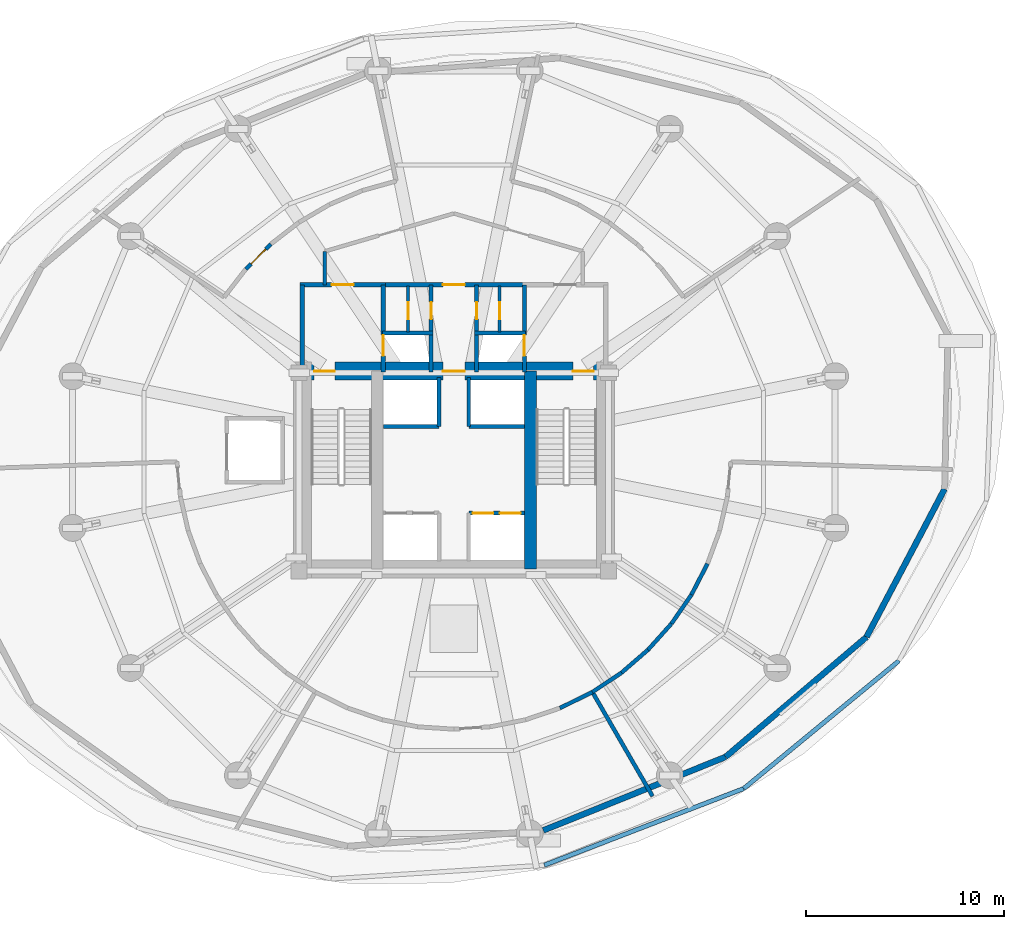
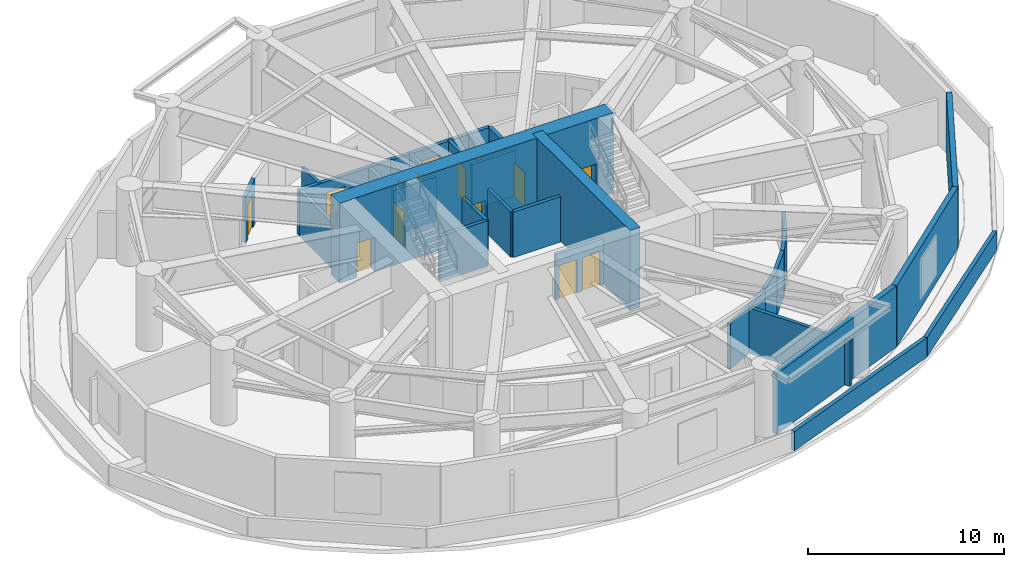
# One storey, part 4 of 8: 32 walls, 14 doors, 14 openings.
"""IFC4 building model written with IfcOpenShell, lengths in metres."""

import ifcopenshell
import ifcopenshell.guid

model = None  # the IFC model being written
_history = None  # IfcOwnerHistory: only IFC2X3 demands one
_inside = {}  # id of a spatial element -> (the spatial element, [elements in it])
_under = {}  # id of a project, library or spatial element -> (it, [spatial elements below it])
_declared = {}  # id of a project -> (the project, [libraries it declares])
_typed = {}  # id of a type object -> (the type object, [elements of that type])
_made_of = {}  # id of a material, layer set ... -> (it, [elements and type objects made of it])


def new_model(schema):
    """Start an empty IFC model of exactly this schema.

    Asked for "IFC4X3", IfcOpenShell would pick the latest addendum, in which some entities
    have other attributes; the version numbers below select the first issue.
    IFC2X3 requires an IfcOwnerHistory on every rooted entity: one is made here for all.
    """
    global model, _history
    if schema == "IFC4X3":
        model = ifcopenshell.file(schema_version=(4, 3, 0, 0))
    else:
        model = ifcopenshell.file(schema=schema)
    _inside.clear()
    _under.clear()
    _declared.clear()
    _typed.clear()
    _made_of.clear()
    _history = None
    if model.schema == "IFC2X3":
        org = make("IfcOrganization", Name="unknown")
        user = make(
            "IfcPersonAndOrganization",
            ThePerson=make("IfcPerson", FamilyName="unknown"),
            TheOrganization=org,
        )
        app = make(
            "IfcApplication",
            ApplicationDeveloper=org,
            Version="unknown",
            ApplicationFullName="unknown",
            ApplicationIdentifier="unknown",
        )
        _history = make(
            "IfcOwnerHistory",
            OwningUser=user,
            OwningApplication=app,
            ChangeAction="ADDED",
            CreationDate=0,
        )
    return model


def make(cls, **values):
    """One entity of the class cls with the attributes given. An attribute that is None is left unset."""
    return model.create_entity(
        cls, **{name: value for name, value in values.items() if value is not None}
    )


def rooted(cls, **values):
    """An entity with a GlobalId (a new one), such as an element, a storey or a relation."""
    return make(cls, GlobalId=ifcopenshell.guid.new(), OwnerHistory=_history, **values)


def si_unit(unit_type, name, prefix=None):
    """IfcSIUnit, for example si_unit("LENGTHUNIT", "METRE", prefix="MILLI")."""
    return make("IfcSIUnit", UnitType=unit_type, Prefix=prefix, Name=name)


def assignment(units):
    """IfcUnitAssignment: the units of a project."""
    return None if units is None else make("IfcUnitAssignment", Units=units)


def point(xyz):
    """IfcCartesianPoint."""
    return None if xyz is None else make("IfcCartesianPoint", Coordinates=xyz)


def direction(xyz):
    """IfcDirection."""
    return None if xyz is None else make("IfcDirection", DirectionRatios=xyz)


def frame(location, z_axis=None, x_axis=None):
    """IfcAxis2Placement3D, a coordinate frame: its origin and axes. An axis left out is left unset."""
    return make(
        "IfcAxis2Placement3D",
        Location=point(location),
        Axis=direction(z_axis),
        RefDirection=direction(x_axis),
    )


def frame_2d(location, x_axis=None):
    """IfcAxis2Placement2D, a coordinate frame in the plane: its origin and x axis."""
    return make(
        "IfcAxis2Placement2D", Location=point(location), RefDirection=direction(x_axis)
    )


def origin():
    """The frame at (0, 0, 0) with its axes left unset."""
    return frame((0.0, 0.0, 0.0))


def place(relative_to, where):
    """IfcLocalPlacement: puts the frame where relative to a parent placement (None: the world)."""
    return make(
        "IfcLocalPlacement", PlacementRelTo=relative_to, RelativePlacement=where
    )


def context(
    kind, dimensions, precision=None, world=None, true_north=None, identifier=None
):
    """IfcGeometricRepresentationContext, for example the 3D "Model" context."""
    return make(
        "IfcGeometricRepresentationContext",
        ContextIdentifier=identifier,
        ContextType=kind,
        CoordinateSpaceDimension=dimensions,
        Precision=precision,
        WorldCoordinateSystem=world,
        TrueNorth=true_north,
    )


def subcontext(parent, identifier, kind, view, scale=None):
    """IfcGeometricRepresentationSubContext, for example "Body" below "Model"."""
    return make(
        "IfcGeometricRepresentationSubContext",
        ContextIdentifier=identifier,
        ContextType=kind,
        ParentContext=parent,
        TargetScale=scale,
        TargetView=view,
    )


def project(units=None, contexts=None):
    """IfcProject with its units and contexts."""
    return rooted(
        "IfcProject",
        Name="project",
        RepresentationContexts=contexts,
        UnitsInContext=assignment(units),
    )


def spatial(cls, under=None, at=None, **own):
    """A site, building, storey or space (cls), placed at a placement, below another one or the project."""
    s = rooted(cls, ObjectPlacement=at, **own)
    if under is not None:
        _under.setdefault(under.id(), (under, []))[1].append(s)
    return s


def profile(cls, at=None, kind="AREA", **sizes):
    """A parametric profile (cls). Its sizes go by their IFC names, for example OverallWidth=200.0."""
    return make(cls, ProfileType=kind, Position=at, **sizes)


def rectangle(**sizes):
    """IfcRectangleProfileDef."""
    return profile("IfcRectangleProfileDef", **sizes)


def extrude(swept, where, along, depth):
    """IfcExtrudedAreaSolid: the profile swept, set in the frame where, extruded along a direction by depth."""
    return make(
        "IfcExtrudedAreaSolid",
        SweptArea=swept,
        Position=where,
        ExtrudedDirection=direction(along),
        Depth=depth,
    )


def shape(context_of_items, identifier, shape_type, items):
    """IfcShapeRepresentation: the items that make up one representation, for example the "Body"."""
    return make(
        "IfcShapeRepresentation",
        ContextOfItems=context_of_items,
        RepresentationIdentifier=identifier,
        RepresentationType=shape_type,
        Items=items,
    )


def material(Name=None, Category=None):
    """IfcMaterial."""
    return make("IfcMaterial", Name=Name, Category=Category)


def layer(
    of_material, thickness, ventilated=None, Name=None, Category=None, Priority=None
):
    """IfcMaterialLayer: one layer of a wall or slab, of a material (None: an air gap)."""
    return make(
        "IfcMaterialLayer",
        Material=of_material,
        LayerThickness=thickness,
        IsVentilated=ventilated,
        Name=Name,
        Category=Category,
        Priority=Priority,
    )


def layer_set(layers, Name=None):
    """IfcMaterialLayerSet."""
    return make("IfcMaterialLayerSet", MaterialLayers=layers, LayerSetName=Name)


def made_of(thing, what):
    """Note that an element or type object is made of a material, layer set ...; save() writes the relation."""
    if what is not None:
        _made_of.setdefault(what.id(), (what, []))[1].append(thing)
    return thing


def type_object(cls, material=None, **own):
    """A type object (cls), such as IfcWallType, which elements share."""
    return made_of(rooted(cls, **own), material)


def element(
    cls,
    number,
    at=None,
    inside=None,
    cuts=None,
    type_object=None,
    material=None,
    context=None,
    identifier="Body",
    shape_type=None,
    held_by="IfcProductDefinitionShape",
    body=None,
    shapes=None,
    **own,
):
    """One element of the class cls, such as IfcWall. Its Tag is "e" and its number.

    at: its placement. inside: the storey or other place that contains it. cuts: it is an
    opening in that element (IfcRelVoidsElement). A single representation is given by context,
    identifier, shape_type and body (its items); several are given by shapes. held_by: the class
    of the entity that holds the representations. save() writes the other relations.
    """
    e = rooted(cls, Tag="e%d" % number, ObjectPlacement=at, **own)
    if body is not None:
        shapes = [shape(context, identifier, shape_type, body)]
    if shapes is not None:
        e.Representation = make(held_by, Representations=shapes)
    if inside is not None:
        _inside.setdefault(inside.id(), (inside, []))[1].append(e)
    if cuts is not None:
        rooted(
            "IfcRelVoidsElement", RelatingBuildingElement=cuts, RelatedOpeningElement=e
        )
    if type_object is not None:
        _typed.setdefault(type_object.id(), (type_object, []))[1].append(e)
    return made_of(e, material)


def fill(opening, filler):
    """IfcRelFillsElement: the door or window that sits in an opening."""
    return rooted(
        "IfcRelFillsElement",
        RelatingOpeningElement=opening,
        RelatedBuildingElement=filler,
    )


def aggregate(whole, parts):
    """IfcRelAggregates: a whole, such as a stair, and the parts it consists of."""
    return rooted("IfcRelAggregates", RelatingObject=whole, RelatedObjects=parts)


def save(model, path):
    """Write the relations noted so far, then the file.

    IfcRelAggregates (storeys below a building ...), IfcRelContainedInSpatialStructure (elements
    in a storey), IfcRelDefinesByType, IfcRelAssociatesMaterial and IfcRelDeclares: one each for
    every whole, place, type object, material and project.
    """
    for whole, parts in _under.values():
        aggregate(whole, parts)
    for where, things in _inside.values():
        rooted(
            "IfcRelContainedInSpatialStructure",
            RelatedElements=things,
            RelatingStructure=where,
        )
    for kind, things in _typed.values():
        rooted("IfcRelDefinesByType", RelatedObjects=things, RelatingType=kind)
    for what, things in _made_of.values():
        rooted("IfcRelAssociatesMaterial", RelatedObjects=things, RelatingMaterial=what)
    for by, libraries in _declared.values():
        rooted("IfcRelDeclares", RelatingContext=by, RelatedDefinitions=libraries)
    model.write(path)


model = new_model("IFC4")

# Units and contexts
model_context = context("Model", 3, precision=1e-05, world=origin(), true_north=direction((0.0, 1.0)))
body_context = subcontext(model_context, "Body", "Model", "MODEL_VIEW")
ifc_project = project(units=[si_unit("LENGTHUNIT", "METRE"), si_unit("AREAUNIT", "SQUARE_METRE"), si_unit("VOLUMEUNIT", "CUBIC_METRE"), si_unit("PLANEANGLEUNIT", "RADIAN"), si_unit("MASSUNIT", "GRAM", prefix="KILO"), si_unit("THERMODYNAMICTEMPERATUREUNIT", "KELVIN"), si_unit("POWERUNIT", "WATT")], contexts=[model_context])

# Site, building, storey
site_placement = place(None, origin())
site = spatial("IfcSite", under=ifc_project, at=site_placement, CompositionType="ELEMENT")
building_placement = place(site_placement, origin())
building = spatial("IfcBuilding", under=site, at=building_placement, Name="Ocrelia Relay Tower", CompositionType="ELEMENT")
storey_placement = place(building_placement, frame((0.0, 0.0, 88.800048828125)))
storey = spatial("IfcBuildingStorey", under=building, at=storey_placement, Name="L20", CompositionType="ELEMENT", Elevation=88.800048828125)

# Wall, openings, doors
ifc_material_1 = material(Name="Concrete C70/85", Category="concrete")
ifc_layer_1 = layer(ifc_material_1, 0.89990234375, Name="Concrete C70/85")
ifc_layer_set_1 = layer_set([ifc_layer_1], Name="Concrete C70/85")
wall_type_1 = type_object("IfcWallType", Name="CW-CORE-900", PredefinedType="SHEAR", material=ifc_layer_set_1)
wall_1_placement = place(storey_placement, frame((25.922119140625, 30.087890625, 0.0), z_axis=(0.0, 0.0, 1.0), x_axis=(1.0, 0.0, 0.0)))
wall_1 = element("IfcWall", 1, at=wall_1_placement, inside=storey, type_object=wall_type_1, Name="L20 Core Shear Wall N", PredefinedType="SHEAR", context=body_context, shape_type="SweptSolid", body=[
    extrude(rectangle(XDim=16.165771484375, YDim=0.89990234375, at=frame_2d((8.0830078125, 0.0))), origin(), (0.0, 0.0, 1.0), 5.0),
])
opening_1_placement = place(wall_1_placement, frame((1.028076171875, 0.0, 0.0)))
opening_1 = element("IfcOpeningElement", 2, at=opening_1_placement, cuts=wall_1, Name="Opening D-FD90", PredefinedType="OPENING", context=body_context, shape_type="SweptSolid", body=[
    extrude(rectangle(XDim=1.050048828125, YDim=2.14990234375, at=frame_2d((0.52490234375, 1.074951171875))), frame((0.0, 0.4599609375, 0.0), z_axis=(0.0, -1.0, 0.0), x_axis=(1.0, 0.0, 0.0)), (0.0, 0.0, 1.0), 0.919921875),
])
opening_2_placement = place(wall_1_placement, frame((14.077880859375, 0.0, 0.0)))
opening_2 = element("IfcOpeningElement", 3, at=opening_2_placement, cuts=wall_1, Name="Opening D-FD90", PredefinedType="OPENING", context=body_context, shape_type="SweptSolid", body=[
    extrude(rectangle(XDim=1.050048828125, YDim=2.14990234375, at=frame_2d((0.52490234375, 1.074951171875))), frame((0.0, 0.4599609375, 0.0), z_axis=(0.0, -1.0, 0.0), x_axis=(1.0, 0.0, 0.0)), (0.0, 0.0, 1.0), 0.919921875),
])
opening_3_placement = place(wall_1_placement, frame((7.528076171875, 0.0, 0.0)))
opening_3 = element("IfcOpeningElement", 4, at=opening_3_placement, cuts=wall_1, Name="Opening D-FD60", PredefinedType="OPENING", context=body_context, shape_type="SweptSolid", body=[
    extrude(rectangle(XDim=1.10009765625, YDim=2.14990234375, at=frame_2d((0.550048828125, 1.074951171875))), frame((0.0, 0.4599609375, 0.0), z_axis=(0.0, -1.0, 0.0), x_axis=(1.0, 0.0, 0.0)), (0.0, 0.0, 1.0), 0.919921875),
])
ifc_material_2 = material(Name="Timber-core 60-min acoustic fire door", Category="wood")
door_type_1 = type_object("IfcDoorType", Name="DR-LOBBY-FD60-1100", OperationType="NOTDEFINED", PredefinedType="DOOR", material=ifc_material_2)
door_1_placement = place(opening_3_placement, origin())
door_1 = element("IfcDoor", 5, at=door_1_placement, inside=storey, type_object=door_type_1, Name="L20 Core Lift Lobby North Fire Door", OperationType="SINGLE_SWING_RIGHT", OverallHeight=2.14990234375, OverallWidth=1.10009765625, PredefinedType="DOOR", context=body_context, shape_type="SweptSolid", body=[
    extrude(rectangle(XDim=1.10009765625, YDim=2.14990234375, at=frame_2d((0.550048828125, 1.074951171875))), frame((0.0, 0.02490234375, 0.0), z_axis=(0.0, -1.0, 0.0), x_axis=(1.0, 0.0, 0.0)), (0.0, 0.0, 1.0), 0.050048828125),
])
fill(opening_3, door_1)
ifc_material_3 = material(Name="Steel S355 90-min fire door", Category="steel")
door_type_2 = type_object("IfcDoorType", Name="DR-STAIR-FD90-1050", OperationType="NOTDEFINED", PredefinedType="DOOR", material=ifc_material_3)
door_2_placement = place(opening_1_placement, origin())
door_2 = element("IfcDoor", 6, at=door_2_placement, inside=storey, type_object=door_type_2, Name="L20 Stair ST1 Fire Door", OperationType="SINGLE_SWING_RIGHT", OverallHeight=2.14990234375, OverallWidth=1.050048828125, PredefinedType="DOOR", context=body_context, shape_type="SweptSolid", body=[
    extrude(rectangle(XDim=1.050048828125, YDim=2.14990234375, at=frame_2d((0.52490234375, 1.074951171875))), frame((0.0, 0.02490234375, 0.0), z_axis=(0.0, -1.0, 0.0), x_axis=(1.0, 0.0, 0.0)), (0.0, 0.0, 1.0), 0.050048828125),
])
fill(opening_1, door_2)
door_3_placement = place(opening_2_placement, origin())
door_3 = element("IfcDoor", 7, at=door_3_placement, inside=storey, type_object=door_type_2, Name="L20 Stair ST2 Fire Door", OperationType="SINGLE_SWING_LEFT", OverallHeight=2.14990234375, OverallWidth=1.050048828125, PredefinedType="DOOR", context=body_context, shape_type="SweptSolid", body=[
    extrude(rectangle(XDim=1.050048828125, YDim=2.14990234375, at=frame_2d((0.52490234375, 1.074951171875))), frame((0.0, 0.02490234375, 0.0), z_axis=(0.0, -1.0, 0.0), x_axis=(1.0, 0.0, 0.0)), (0.0, 0.0, 1.0), 0.050048828125),
])
fill(opening_2, door_3)

# Walls
wall_2_placement = place(storey_placement, frame((37.8720703125, 20.112060546875, 0.0), z_axis=(0.0, 0.0, 1.0), x_axis=(0.0, 1.0, 0.0)))
element("IfcWall", 8, at=wall_2_placement, inside=storey, type_object=wall_type_1, Name="L20 Core Shear Wall SPE", PredefinedType="SHEAR", context=body_context, shape_type="SweptSolid", body=[
    extrude(rectangle(XDim=9.975830078125, YDim=0.60009765625, at=frame_2d((4.98779296875, 0.0))), origin(), (0.0, 0.0, 1.0), 5.0),
])
ifc_material_4 = material(Name="Gypsum Fireboard Partition EI60", Category="gypsum")
ifc_layer_2 = layer(ifc_material_4, 0.179931640625, Name="Gypsum Fireboard Partition EI60")
ifc_layer_set_2 = layer_set([ifc_layer_2], Name="Gypsum Fireboard Partition EI60")
wall_type_2 = type_object("IfcWallType", Name="W-CORR-EI60-180", PredefinedType="PARTITIONING", material=ifc_layer_set_2)
wall_3_placement = place(storey_placement, frame((27.5, 34.429931640625, 0.0), z_axis=(0.0, 0.0, 1.0), x_axis=(0.0, 1.0, 0.0)))
element("IfcWall", 9, at=wall_3_placement, inside=storey, type_object=wall_type_2, Name="L20 Smoke Lobby West Return", PredefinedType="PARTITIONING", context=body_context, shape_type="SweptSolid", body=[
    extrude(rectangle(XDim=1.69287109375, YDim=0.179931640625, at=frame_2d((0.846435546875, 0.0))), origin(), (0.0, 0.0, 1.0), 2.83984375),
])
ifc_material_5 = material(Name="Precast concrete C40/50 with oxide terracotta", Category="masonry")
ifc_layer_3 = layer(ifc_material_5, 0.300048828125, Name="Precast concrete C40/50 with oxide terracotta")
ifc_layer_set_3 = layer_set([ifc_layer_3], Name="Precast concrete C40/50 with oxide terracotta")
wall_type_3 = type_object("IfcWallType", Name="W-EXT-TERR-300", PredefinedType="SOLIDWALL", material=ifc_layer_set_3)
wall_4_placement = place(storey_placement, frame((38.509033203125, 6.92578125, 0.0), z_axis=(0.0, 0.0, 1.0), x_axis=(0.92745373758, 0.3739379155, 0.0)))
element("IfcWall", 10, at=wall_4_placement, inside=storey, type_object=wall_type_3, Name="L20 Plant Terracotta Wall 13", PredefinedType="SOLIDWALL", context=body_context, shape_type="SweptSolid", body=[
    extrude(rectangle(XDim=9.90966796875, YDim=0.300048828125, at=frame_2d((4.954833984375, 0.0))), origin(), (0.0, 0.0, 1.0), 3.800048828125),
])
wall_5_placement = place(storey_placement, frame((47.69970703125, 10.63134765625, 0.0), z_axis=(0.0, 0.0, 1.0), x_axis=(0.761612488975, 0.64803272806, 0.0)))
element("IfcWall", 11, at=wall_5_placement, inside=storey, type_object=wall_type_3, Name="L20 Plant Terracotta Wall 14", PredefinedType="SOLIDWALL", context=body_context, shape_type="SweptSolid", body=[
    extrude(rectangle(XDim=9.328857421875, YDim=0.300048828125, at=frame_2d((4.66455078125, 0.0))), origin(), (0.0, 0.0, 1.0), 3.800048828125),
])
wall_6_placement = place(storey_placement, frame((54.8046875, 16.6767578125, 0.0), z_axis=(0.0, 0.0, 1.0), x_axis=(0.466570065836, 0.884484241615, 0.0)))
element("IfcWall", 12, at=wall_6_placement, inside=storey, type_object=wall_type_3, Name="L20 Plant Terracotta Wall 15", PredefinedType="SOLIDWALL", context=body_context, shape_type="SweptSolid", body=[
    extrude(rectangle(XDim=8.439697265625, YDim=0.300048828125, at=frame_2d((4.2197265625, 0.0))), origin(), (0.0, 0.0, 1.0), 3.800048828125),
])
ifc_material_6 = material(Name="Concrete C50/60", Category="concrete")
ifc_layer_4 = layer(ifc_material_6, 0.219970703125, Name="Concrete C50/60")
ifc_layer_set_4 = layer_set([ifc_layer_4], Name="Concrete C50/60")
wall_type_4 = type_object("IfcWallType", Name="W-FFL-EI120-220", PredefinedType="SOLIDWALL", material=ifc_layer_set_4)
wall_7_placement = place(storey_placement, frame((26.35009765625, 30.050048828125, 0.0), z_axis=(0.0, 0.0, 1.0), x_axis=(0.0, 1.0, 0.0)))
element("IfcWall", 13, at=wall_7_placement, inside=storey, type_object=wall_type_4, Name="L20 W Fire Service Lift Lobby West Wall", PredefinedType="SOLIDWALL", context=body_context, shape_type="SweptSolid", body=[
    extrude(rectangle(XDim=4.3798828125, YDim=0.219970703125, at=frame_2d((2.18994140625, 0.0))), origin(), (0.0, 0.0, 1.0), 2.83984375),
])

# Wall, opening, door
wall_8_placement = place(storey_placement, frame((30.43994140625, 30.050048828125, 0.0), z_axis=(0.0, 0.0, 1.0), x_axis=(0.0, 1.0, 0.0)))
wall_8 = element("IfcWall", 14, at=wall_8_placement, inside=storey, type_object=wall_type_4, Name="L20 W Fire Service Lift Lobby East Wall", PredefinedType="SOLIDWALL", context=body_context, shape_type="SweptSolid", body=[
    extrude(rectangle(XDim=4.3798828125, YDim=0.219970703125, at=frame_2d((2.18994140625, 0.0))), origin(), (0.0, 0.0, 1.0), 2.83984375),
])
opening_4_placement = place(wall_8_placement, frame((0.800048828125, 0.0, 0.0)))
opening_4 = element("IfcOpeningElement", 15, at=opening_4_placement, cuts=wall_8, Name="Opening LD-FFL1", PredefinedType="OPENING", context=body_context, shape_type="SweptSolid", body=[
    extrude(rectangle(XDim=1.050048828125, YDim=2.10009765625, at=frame_2d((0.52490234375, 1.050048828125))), frame((0.0, 0.1201171875, 0.0), z_axis=(0.0, -1.0, 0.0), x_axis=(1.0, 0.0, 0.0)), (0.0, 0.0, 1.0), 0.239990234375),
])
ifc_material_7 = material(Name="Brushed stainless steel S355 lift landing door", Category="steel")
door_type_3 = type_object("IfcDoorType", Name="DR-LIFT-LAND-1050", OperationType="DOUBLE_DOOR_SLIDING", PredefinedType="USERDEFINED", material=ifc_material_7)
door_4_placement = place(opening_4_placement, origin())
door_4 = element("IfcDoor", 16, at=door_4_placement, inside=storey, type_object=door_type_3, Name="L20 Firefighting Lift FFL1 Sliding Landing Door", ObjectType="LANDING DOOR", OperationType="DOUBLE_DOOR_SLIDING", OverallHeight=2.10009765625, OverallWidth=1.050048828125, PredefinedType="USERDEFINED", context=body_context, shape_type="SweptSolid", body=[
    extrude(rectangle(XDim=1.050048828125, YDim=2.10009765625, at=frame_2d((0.52490234375, 1.050048828125))), frame((0.0, 0.02490234375, 0.0), z_axis=(0.0, -1.0, 0.0), x_axis=(1.0, 0.0, 0.0)), (0.0, 0.0, 1.0), 0.050048828125),
])
fill(opening_4, door_4)

wall_9_placement = place(storey_placement, frame((26.239990234375, 34.429931640625, 0.0), z_axis=(0.0, 0.0, 1.0), x_axis=(1.0, 0.0, 0.0)))
wall_9 = element("IfcWall", 17, at=wall_9_placement, inside=storey, type_object=wall_type_4, Name="L20 W Fire Service Lift Lobby North Wall", PredefinedType="SOLIDWALL", context=body_context, shape_type="SweptSolid", body=[
    extrude(rectangle(XDim=4.31005859375, YDim=0.219970703125, at=frame_2d((2.155029296875, 0.0))), origin(), (0.0, 0.0, 1.0), 2.83984375),
])
opening_5_placement = place(wall_9_placement, frame((1.60009765625, 0.0, 0.0)))
opening_5 = element("IfcOpeningElement", 18, at=opening_5_placement, cuts=wall_9, Name="Opening D-FD60", PredefinedType="OPENING", context=body_context, shape_type="SweptSolid", body=[
    extrude(rectangle(XDim=1.10009765625, YDim=2.14990234375, at=frame_2d((0.550048828125, 1.074951171875))), frame((0.0, 0.1201171875, 0.0), z_axis=(0.0, -1.0, 0.0), x_axis=(1.0, 0.0, 0.0)), (0.0, 0.0, 1.0), 0.239990234375),
])
door_5_placement = place(opening_5_placement, origin())
door_5 = element("IfcDoor", 19, at=door_5_placement, inside=storey, type_object=door_type_1, Name="L20 W Fire Service Lift Lobby Exit Door", OperationType="SINGLE_SWING_LEFT", OverallHeight=2.14990234375, OverallWidth=1.10009765625, PredefinedType="DOOR", context=body_context, shape_type="SweptSolid", body=[
    extrude(rectangle(XDim=1.10009765625, YDim=2.14990234375, at=frame_2d((0.550048828125, 1.074951171875))), frame((0.0, 0.02490234375, 0.0), z_axis=(0.0, -1.0, 0.0), x_axis=(1.0, 0.0, 0.0)), (0.0, 0.0, 1.0), 0.050048828125),
])
fill(opening_5, door_5)

wall_10_placement = place(storey_placement, frame((37.56005859375, 30.050048828125, 0.0), z_axis=(0.0, 0.0, 1.0), x_axis=(0.0, 1.0, 0.0)))
wall_10 = element("IfcWall", 20, at=wall_10_placement, inside=storey, type_object=wall_type_4, Name="L20 E Fire Service Lift Lobby West Wall", PredefinedType="SOLIDWALL", context=body_context, shape_type="SweptSolid", body=[
    extrude(rectangle(XDim=4.3798828125, YDim=0.219970703125, at=frame_2d((2.18994140625, 0.0))), origin(), (0.0, 0.0, 1.0), 2.83984375),
])
opening_6_placement = place(wall_10_placement, frame((0.800048828125, 0.0, 0.0)))
opening_6 = element("IfcOpeningElement", 21, at=opening_6_placement, cuts=wall_10, Name="Opening LD-FFL2", PredefinedType="OPENING", context=body_context, shape_type="SweptSolid", body=[
    extrude(rectangle(XDim=1.050048828125, YDim=2.10009765625, at=frame_2d((0.52490234375, 1.050048828125))), frame((0.0, 0.1201171875, 0.0), z_axis=(0.0, -1.0, 0.0), x_axis=(1.0, 0.0, 0.0)), (0.0, 0.0, 1.0), 0.239990234375),
])
door_6_placement = place(opening_6_placement, origin())
door_6 = element("IfcDoor", 22, at=door_6_placement, inside=storey, type_object=door_type_3, Name="L20 Firefighting Lift FFL2 Sliding Landing Door", ObjectType="LANDING DOOR", OperationType="DOUBLE_DOOR_SLIDING", OverallHeight=2.10009765625, OverallWidth=1.050048828125, PredefinedType="USERDEFINED", context=body_context, shape_type="SweptSolid", body=[
    extrude(rectangle(XDim=1.050048828125, YDim=2.10009765625, at=frame_2d((0.52490234375, 1.050048828125))), frame((0.0, 0.02490234375, 0.0), z_axis=(0.0, -1.0, 0.0), x_axis=(1.0, 0.0, 0.0)), (0.0, 0.0, 1.0), 0.050048828125),
])
fill(opening_6, door_6)

wall_11_placement = place(storey_placement, frame((30.43994140625, 34.429931640625, 0.0), z_axis=(0.0, 0.0, 1.0), x_axis=(1.0, 0.0, 0.0)))
wall_11 = element("IfcWall", 23, at=wall_11_placement, inside=storey, type_object=wall_type_4, Name="L20 North Core Vestibule Wall", PredefinedType="SOLIDWALL", context=body_context, shape_type="SweptSolid", body=[
    extrude(rectangle(XDim=7.1201171875, YDim=0.219970703125, at=frame_2d((3.56005859375, 0.0))), origin(), (0.0, 0.0, 1.0), 2.83984375),
])
opening_7_placement = place(wall_11_placement, frame((3.010009765625, 0.0, 0.0)))
opening_7 = element("IfcOpeningElement", 24, at=opening_7_placement, cuts=wall_11, Name="Opening D-FD60", PredefinedType="OPENING", context=body_context, shape_type="SweptSolid", body=[
    extrude(rectangle(XDim=1.10009765625, YDim=2.14990234375, at=frame_2d((0.550048828125, 1.074951171875))), frame((0.0, 0.1201171875, 0.0), z_axis=(0.0, -1.0, 0.0), x_axis=(1.0, 0.0, 0.0)), (0.0, 0.0, 1.0), 0.239990234375),
])
door_7_placement = place(opening_7_placement, origin())
door_7 = element("IfcDoor", 25, at=door_7_placement, inside=storey, type_object=door_type_1, Name="L20 North Core Vestibule Corridor Door", OperationType="SINGLE_SWING_LEFT", OverallHeight=2.14990234375, OverallWidth=1.10009765625, PredefinedType="DOOR", context=body_context, shape_type="SweptSolid", body=[
    extrude(rectangle(XDim=1.10009765625, YDim=2.14990234375, at=frame_2d((0.550048828125, 1.074951171875))), frame((0.0, 0.02490234375, 0.0), z_axis=(0.0, -1.0, 0.0), x_axis=(1.0, 0.0, 0.0)), (0.0, 0.0, 1.0), 0.050048828125),
])
fill(opening_7, door_7)

# Walls
ifc_layer_5 = layer(ifc_material_5, 0.219970703125, Name="Precast concrete C40/50 with oxide terracotta")
ifc_layer_set_5 = layer_set([ifc_layer_5], Name="Precast concrete C40/50 with oxide terracotta")
wall_type_5 = type_object("IfcWallType", Name="W-PARAPET-220", PredefinedType="PARAPET", material=ifc_layer_set_5)
wall_12_placement = place(storey_placement, frame((38.56005859375, 5.17333984375, 0.0), z_axis=(0.0, 0.0, 1.0), x_axis=(0.933474089554, 0.358644844005, 0.0)))
element("IfcWall", 26, at=wall_12_placement, inside=storey, type_object=wall_type_5, Name="L20 Setback Green Roof Parapet 13", PredefinedType="PARAPET", context=body_context, shape_type="SweptSolid", body=[
    extrude(rectangle(XDim=10.76904296875, YDim=0.219970703125, at=frame_2d((5.384521484375, 0.0))), origin(), (0.0, 0.0, 1.0), 1.199951171875),
])
wall_13_placement = place(storey_placement, frame((48.61279296875, 9.03564453125, 0.0), z_axis=(0.0, 0.0, 1.0), x_axis=(0.772008765816, 0.635611882758, 0.0)))
element("IfcWall", 27, at=wall_13_placement, inside=storey, type_object=wall_type_5, Name="L20 Setback Green Roof Parapet 14", PredefinedType="PARAPET", context=body_context, shape_type="SweptSolid", body=[
    extrude(rectangle(XDim=10.139892578125, YDim=0.219970703125, at=frame_2d((5.06982421875, 0.0))), origin(), (0.0, 0.0, 1.0), 1.199951171875),
])

# Wall, opening, door
ifc_material_8 = material(Name="Acoustic Fireboard Partition EI60", Category="gypsum")
ifc_layer_6 = layer(ifc_material_8, 0.14990234375, Name="Acoustic Fireboard Partition EI60")
ifc_layer_set_6 = layer_set([ifc_layer_6], Name="Acoustic Fireboard Partition EI60")
wall_type_6 = type_object("IfcWallType", Name="W-PART-150", PredefinedType="PARTITIONING", material=ifc_layer_set_6)
wall_14_placement = place(storey_placement, frame((31.68994140625, 32.050048828125, 0.0), z_axis=(0.0, 0.0, 1.0), x_axis=(0.0, 1.0, 0.0)))
wall_14 = element("IfcWall", 28, at=wall_14_placement, inside=storey, type_object=wall_type_6, Name="L20 West Core Support Partition", PredefinedType="PARTITIONING", context=body_context, shape_type="SweptSolid", body=[
    extrude(rectangle(XDim=2.329833984375, YDim=0.14990234375, at=frame_2d((1.1650390625, 0.0))), origin(), (0.0, 0.0, 1.0), 2.83984375),
])
opening_8_placement = place(wall_14_placement, frame((0.64990234375, 0.0, 0.0)))
opening_8 = element("IfcOpeningElement", 29, at=opening_8_placement, cuts=wall_14, Name="Opening D-RS86", PredefinedType="OPENING", context=body_context, shape_type="SweptSolid", body=[
    extrude(rectangle(XDim=0.860107421875, YDim=2.050048828125, at=frame_2d((0.43017578125, 1.02490234375))), frame((0.0, 0.0849609375, 0.0), z_axis=(0.0, -1.0, 0.0), x_axis=(1.0, 0.0, 0.0)), (0.0, 0.0, 1.0), 0.169921875),
])
ifc_material_9 = material(Name="Steel S355 riser access fire door", Category="steel")
door_type_4 = type_object("IfcDoorType", Name="DR-RISER-TRAP-860", OperationType="NOTDEFINED", PredefinedType="TRAPDOOR", material=ifc_material_9)
door_8_placement = place(opening_8_placement, origin())
door_8 = element("IfcDoor", 30, at=door_8_placement, inside=storey, type_object=door_type_4, Name="L20 West Core Store Connecting Door", OperationType="SINGLE_SWING_RIGHT", OverallHeight=2.050048828125, OverallWidth=0.860107421875, PredefinedType="TRAPDOOR", context=body_context, shape_type="SweptSolid", body=[
    extrude(rectangle(XDim=0.860107421875, YDim=2.050048828125, at=frame_2d((0.43017578125, 1.02490234375))), frame((0.0, 0.02490234375, 0.0), z_axis=(0.0, -1.0, 0.0), x_axis=(1.0, 0.0, 0.0)), (0.0, 0.0, 1.0), 0.050048828125),
])
fill(opening_8, door_8)

wall_15_placement = place(storey_placement, frame((36.31005859375, 32.050048828125, 0.0), z_axis=(0.0, 0.0, 1.0), x_axis=(0.0, 1.0, 0.0)))
wall_15 = element("IfcWall", 31, at=wall_15_placement, inside=storey, type_object=wall_type_6, Name="L20 East Core Support Partition", PredefinedType="PARTITIONING", context=body_context, shape_type="SweptSolid", body=[
    extrude(rectangle(XDim=2.329833984375, YDim=0.14990234375, at=frame_2d((1.1650390625, 0.0))), origin(), (0.0, 0.0, 1.0), 2.83984375),
])
opening_9_placement = place(wall_15_placement, frame((0.64990234375, 0.0, 0.0)))
opening_9 = element("IfcOpeningElement", 32, at=opening_9_placement, cuts=wall_15, Name="Opening D-RS86", PredefinedType="OPENING", context=body_context, shape_type="SweptSolid", body=[
    extrude(rectangle(XDim=0.860107421875, YDim=2.050048828125, at=frame_2d((0.43017578125, 1.02490234375))), frame((0.0, 0.0849609375, 0.0), z_axis=(0.0, -1.0, 0.0), x_axis=(1.0, 0.0, 0.0)), (0.0, 0.0, 1.0), 0.169921875),
])
door_9_placement = place(opening_9_placement, origin())
door_9 = element("IfcDoor", 33, at=door_9_placement, inside=storey, type_object=door_type_4, Name="L20 East Core Store Connecting Door", OperationType="SINGLE_SWING_LEFT", OverallHeight=2.050048828125, OverallWidth=0.860107421875, PredefinedType="TRAPDOOR", context=body_context, shape_type="SweptSolid", body=[
    extrude(rectangle(XDim=0.860107421875, YDim=2.050048828125, at=frame_2d((0.43017578125, 1.02490234375))), frame((0.0, 0.02490234375, 0.0), z_axis=(0.0, -1.0, 0.0), x_axis=(1.0, 0.0, 0.0)), (0.0, 0.0, 1.0), 0.050048828125),
])
fill(opening_9, door_9)

# Wall
ifc_layer_7 = layer(ifc_material_6, 0.199951171875, Name="Concrete C50/60")
ifc_layer_set_7 = layer_set([ifc_layer_7], Name="Concrete C50/60")
wall_type_7 = type_object("IfcWallType", Name="W-SHAFT-EI120-200", PredefinedType="SOLIDWALL", material=ifc_layer_set_7)
wall_16_placement = place(storey_placement, frame((30.39990234375, 32.0, 0.0), z_axis=(0.0, 0.0, 1.0), x_axis=(1.0, 0.0, 0.0)))
element("IfcWall", 34, at=wall_16_placement, inside=storey, type_object=wall_type_7, Name="L20 FFL1 Hoistway North Wall", PredefinedType="SOLIDWALL", context=body_context, shape_type="SweptSolid", body=[
    extrude(rectangle(XDim=2.550048828125, YDim=0.199951171875, at=frame_2d((1.27490234375, 0.0))), origin(), (0.0, 0.0, 1.0), 2.83984375),
])

# Wall, opening, door
wall_17_placement = place(storey_placement, frame((32.85009765625, 30.050048828125, 0.0), z_axis=(0.0, 0.0, 1.0), x_axis=(0.0, 1.0, 0.0)))
wall_17 = element("IfcWall", 35, at=wall_17_placement, inside=storey, type_object=wall_type_7, Name="L20 FFL1 and Service Vestibule Wall", PredefinedType="SOLIDWALL", context=body_context, shape_type="SweptSolid", body=[
    extrude(rectangle(XDim=4.3798828125, YDim=0.199951171875, at=frame_2d((2.18994140625, 0.0))), origin(), (0.0, 0.0, 1.0), 2.83984375),
])
opening_10_placement = place(wall_17_placement, frame((2.64990234375, 0.0, 0.0)))
opening_10 = element("IfcOpeningElement", 36, at=opening_10_placement, cuts=wall_17, Name="Opening D-RS86", PredefinedType="OPENING", context=body_context, shape_type="SweptSolid", body=[
    extrude(rectangle(XDim=0.860107421875, YDim=2.050048828125, at=frame_2d((0.43017578125, 1.02490234375))), frame((0.0, 0.10986328125, 0.0), z_axis=(0.0, -1.0, 0.0), x_axis=(1.0, 0.0, 0.0)), (0.0, 0.0, 1.0), 0.219970703125),
])
door_10_placement = place(opening_10_placement, origin())
door_10 = element("IfcDoor", 37, at=door_10_placement, inside=storey, type_object=door_type_4, Name="L20 Core Support Room W Door", OperationType="SINGLE_SWING_RIGHT", OverallHeight=2.050048828125, OverallWidth=0.860107421875, PredefinedType="TRAPDOOR", context=body_context, shape_type="SweptSolid", body=[
    extrude(rectangle(XDim=0.860107421875, YDim=2.050048828125, at=frame_2d((0.43017578125, 1.02490234375))), frame((0.0, 0.02490234375, 0.0), z_axis=(0.0, -1.0, 0.0), x_axis=(1.0, 0.0, 0.0)), (0.0, 0.0, 1.0), 0.050048828125),
])
fill(opening_10, door_10)

# Wall
wall_18_placement = place(storey_placement, frame((35.050048828125, 32.0, 0.0), z_axis=(0.0, 0.0, 1.0), x_axis=(1.0, 0.0, 0.0)))
element("IfcWall", 38, at=wall_18_placement, inside=storey, type_object=wall_type_7, Name="L20 FFL2 Hoistway North Wall", PredefinedType="SOLIDWALL", context=body_context, shape_type="SweptSolid", body=[
    extrude(rectangle(XDim=2.550048828125, YDim=0.199951171875, at=frame_2d((1.27490234375, 0.0))), origin(), (0.0, 0.0, 1.0), 2.83984375),
])

# Wall, opening, door
wall_19_placement = place(storey_placement, frame((35.14990234375, 30.050048828125, 0.0), z_axis=(0.0, 0.0, 1.0), x_axis=(0.0, 1.0, 0.0)))
wall_19 = element("IfcWall", 39, at=wall_19_placement, inside=storey, type_object=wall_type_7, Name="L20 FFL2 and Service Vestibule Wall", PredefinedType="SOLIDWALL", context=body_context, shape_type="SweptSolid", body=[
    extrude(rectangle(XDim=4.3798828125, YDim=0.199951171875, at=frame_2d((2.18994140625, 0.0))), origin(), (0.0, 0.0, 1.0), 2.83984375),
])
opening_11_placement = place(wall_19_placement, frame((2.64990234375, 0.0, 0.0)))
opening_11 = element("IfcOpeningElement", 40, at=opening_11_placement, cuts=wall_19, Name="Opening D-RS86", PredefinedType="OPENING", context=body_context, shape_type="SweptSolid", body=[
    extrude(rectangle(XDim=0.860107421875, YDim=2.050048828125, at=frame_2d((0.43017578125, 1.02490234375))), frame((0.0, 0.10986328125, 0.0), z_axis=(0.0, -1.0, 0.0), x_axis=(1.0, 0.0, 0.0)), (0.0, 0.0, 1.0), 0.219970703125),
])
door_11_placement = place(opening_11_placement, origin())
door_11 = element("IfcDoor", 41, at=door_11_placement, inside=storey, type_object=door_type_4, Name="L20 Core Support Room E Door", OperationType="SINGLE_SWING_RIGHT", OverallHeight=2.050048828125, OverallWidth=0.860107421875, PredefinedType="TRAPDOOR", context=body_context, shape_type="SweptSolid", body=[
    extrude(rectangle(XDim=0.860107421875, YDim=2.050048828125, at=frame_2d((0.43017578125, 1.02490234375))), frame((0.0, 0.02490234375, 0.0), z_axis=(0.0, -1.0, 0.0), x_axis=(1.0, 0.0, 0.0)), (0.0, 0.0, 1.0), 0.050048828125),
])
fill(opening_11, door_11)

# Wall, openings, doors
wall_20_placement = place(storey_placement, frame((34.75, 22.919921875, 0.0), z_axis=(0.0, 0.0, 1.0), x_axis=(1.0, 0.0, 0.0)))
wall_20 = element("IfcWall", 42, at=wall_20_placement, inside=storey, type_object=wall_type_7, Name="L20 Low-Rise Lift Hoistway Wall E", PredefinedType="SOLIDWALL", context=body_context, shape_type="SweptSolid", body=[
    extrude(rectangle(XDim=2.81005859375, YDim=0.199951171875, at=frame_2d((1.405029296875, 0.0))), origin(), (0.0, 0.0, 1.0), 2.83984375),
])
opening_12_placement = place(wall_20_placement, frame((0.18994140625, 0.0, 0.0)))
opening_12 = element("IfcOpeningElement", 43, at=opening_12_placement, cuts=wall_20, Name="Opening LD-PL3", PredefinedType="OPENING", context=body_context, shape_type="SweptSolid", body=[
    extrude(rectangle(XDim=1.050048828125, YDim=2.10009765625, at=frame_2d((0.52490234375, 1.050048828125))), frame((0.0, 0.10986328125, 0.0), z_axis=(0.0, -1.0, 0.0), x_axis=(1.0, 0.0, 0.0)), (0.0, 0.0, 1.0), 0.219970703125),
])
opening_13_placement = place(wall_20_placement, frame((1.570068359375, 0.0, 0.0)))
opening_13 = element("IfcOpeningElement", 44, at=opening_13_placement, cuts=wall_20, Name="Opening LD-PL4", PredefinedType="OPENING", context=body_context, shape_type="SweptSolid", body=[
    extrude(rectangle(XDim=1.050048828125, YDim=2.10009765625, at=frame_2d((0.52490234375, 1.050048828125))), frame((0.0, 0.10986328125, 0.0), z_axis=(0.0, -1.0, 0.0), x_axis=(1.0, 0.0, 0.0)), (0.0, 0.0, 1.0), 0.219970703125),
])
door_12_placement = place(opening_12_placement, origin())
door_12 = element("IfcDoor", 45, at=door_12_placement, inside=storey, type_object=door_type_3, Name="L20 Passenger Lift PL3 Sliding Landing Door", ObjectType="LANDING DOOR", OperationType="DOUBLE_DOOR_SLIDING", OverallHeight=2.10009765625, OverallWidth=1.050048828125, PredefinedType="USERDEFINED", context=body_context, shape_type="SweptSolid", body=[
    extrude(rectangle(XDim=1.050048828125, YDim=2.10009765625, at=frame_2d((0.52490234375, 1.050048828125))), frame((0.0, 0.02490234375, 0.0), z_axis=(0.0, -1.0, 0.0), x_axis=(1.0, 0.0, 0.0)), (0.0, 0.0, 1.0), 0.050048828125),
])
fill(opening_12, door_12)
door_13_placement = place(opening_13_placement, origin())
door_13 = element("IfcDoor", 46, at=door_13_placement, inside=storey, type_object=door_type_3, Name="L20 Passenger Lift PL4 Sliding Landing Door", ObjectType="LANDING DOOR", OperationType="DOUBLE_DOOR_SLIDING", OverallHeight=2.10009765625, OverallWidth=1.050048828125, PredefinedType="USERDEFINED", context=body_context, shape_type="SweptSolid", body=[
    extrude(rectangle(XDim=1.050048828125, YDim=2.10009765625, at=frame_2d((0.52490234375, 1.050048828125))), frame((0.0, 0.02490234375, 0.0), z_axis=(0.0, -1.0, 0.0), x_axis=(1.0, 0.0, 0.0)), (0.0, 0.0, 1.0), 0.050048828125),
])
fill(opening_13, door_13)

# Walls
wall_21_placement = place(storey_placement, frame((30.43994140625, 27.280029296875, 0.0), z_axis=(0.0, 0.0, 1.0), x_axis=(1.0, 0.0, 0.0)))
element("IfcWall", 47, at=wall_21_placement, inside=storey, type_object=wall_type_7, Name="L20 High-Rise Lift Hoistway Wall W", PredefinedType="SOLIDWALL", context=body_context, shape_type="SweptSolid", body=[
    extrude(rectangle(XDim=2.81005859375, YDim=0.199951171875, at=frame_2d((1.405029296875, 0.0))), origin(), (0.0, 0.0, 1.0), 2.83984375),
])
wall_22_placement = place(storey_placement, frame((33.25, 27.280029296875, 0.0), z_axis=(0.0, 0.0, 1.0), x_axis=(0.0, 1.0, 0.0)))
element("IfcWall", 48, at=wall_22_placement, inside=storey, type_object=wall_type_7, Name="L20 High-Rise Lift Throat Wall W", PredefinedType="SOLIDWALL", context=body_context, shape_type="SweptSolid", body=[
    extrude(rectangle(XDim=2.469970703125, YDim=0.179931640625, at=frame_2d((1.23486328125, 0.0))), origin(), (0.0, 0.0, 1.0), 2.83984375),
])
wall_23_placement = place(storey_placement, frame((34.75, 27.280029296875, 0.0), z_axis=(0.0, 0.0, 1.0), x_axis=(1.0, 0.0, 0.0)))
element("IfcWall", 49, at=wall_23_placement, inside=storey, type_object=wall_type_7, Name="L20 High-Rise Lift Hoistway Wall E", PredefinedType="SOLIDWALL", context=body_context, shape_type="SweptSolid", body=[
    extrude(rectangle(XDim=2.81005859375, YDim=0.199951171875, at=frame_2d((1.405029296875, 0.0))), origin(), (0.0, 0.0, 1.0), 2.83984375),
])
wall_24_placement = place(storey_placement, frame((34.75, 27.280029296875, 0.0), z_axis=(0.0, 0.0, 1.0), x_axis=(0.0, 1.0, 0.0)))
element("IfcWall", 50, at=wall_24_placement, inside=storey, type_object=wall_type_7, Name="L20 High-Rise Lift Throat Wall E", PredefinedType="SOLIDWALL", context=body_context, shape_type="SweptSolid", body=[
    extrude(rectangle(XDim=2.469970703125, YDim=0.179931640625, at=frame_2d((1.23486328125, 0.0))), origin(), (0.0, 0.0, 1.0), 2.83984375),
])

# Wall, opening, door
wall_25_placement = place(storey_placement, frame((23.51025390625, 35.226318359375, 0.0), z_axis=(0.0, 0.0, 1.0), x_axis=(0.707106781187, 0.707106781187, 0.0)))
wall_25 = element("IfcWall", 51, at=wall_25_placement, inside=storey, type_object=wall_type_7, Name="L20 West Area of Refuge Inner Wall 8", PredefinedType="SOLIDWALL", context=body_context, shape_type="SweptSolid", body=[
    extrude(rectangle(XDim=1.786865234375, YDim=0.199951171875, at=frame_2d((0.8935546875, 0.0))), origin(), (0.0, 0.0, 1.0), 2.83984375),
])
opening_14_placement = place(wall_25_placement, frame((0.368408203125, 0.0, 0.0)))
opening_14 = element("IfcOpeningElement", 52, at=opening_14_placement, cuts=wall_25, Name="Opening D-FD90", PredefinedType="OPENING", context=body_context, shape_type="SweptSolid", body=[
    extrude(rectangle(XDim=1.050048828125, YDim=2.14990234375, at=frame_2d((0.52490234375, 1.074951171875))), frame((0.0, 0.10986328125, 0.0), z_axis=(0.0, -1.0, 0.0), x_axis=(1.0, 0.0, 0.0)), (0.0, 0.0, 1.0), 0.219970703125),
])
door_14_placement = place(opening_14_placement, origin())
door_14 = element("IfcDoor", 53, at=door_14_placement, inside=storey, type_object=door_type_2, Name="L20 West Area of Refuge Fire Door", OperationType="SINGLE_SWING_RIGHT", OverallHeight=2.14990234375, OverallWidth=1.050048828125, PredefinedType="DOOR", context=body_context, shape_type="SweptSolid", body=[
    extrude(rectangle(XDim=1.050048828125, YDim=2.14990234375, at=frame_2d((0.52490234375, 1.074951171875))), frame((0.0, 0.02490234375, 0.0), z_axis=(0.0, -1.0, 0.0), x_axis=(1.0, 0.0, 0.0)), (0.0, 0.0, 1.0), 0.050048828125),
])
fill(opening_14, door_14)

# Walls
wall_26_placement = place(storey_placement, frame((40.985107421875, 13.901611328125, 0.0), z_axis=(0.0, 0.0, 1.0), x_axis=(-0.896898457254, -0.442236540073, 0.0)))
element("IfcWall", 54, at=wall_26_placement, inside=storey, type_object=wall_type_7, Name="L20 Air Handling Plant Room Inner Wall 9", PredefinedType="SOLIDWALL", context=body_context, shape_type="SweptSolid", body=[
    extrude(rectangle(XDim=1.827392578125, YDim=0.199951171875, at=frame_2d((0.91357421875, 0.0))), origin(), (0.0, 0.0, 1.0), 2.83984375),
])
wall_27_placement = place(storey_placement, frame((40.985107421875, 13.901611328125, 0.0), z_axis=(0.0, 0.0, 1.0), x_axis=(0.499990973765, -0.866030615021, 0.0)))
element("IfcWall", 55, at=wall_27_placement, inside=storey, type_object=wall_type_7, Name="L20 Air Handling Plant Room Radial Wall R1", PredefinedType="SOLIDWALL", context=body_context, shape_type="SweptSolid", body=[
    extrude(rectangle(XDim=6.06005859375, YDim=0.199951171875, at=frame_2d((3.030029296875, 0.0))), origin(), (0.0, 0.0, 1.0), 2.83984375),
])
for number, where, z_axis, x_axis, name in (
    (56, (46.786865234375, 20.37353515625, 0.0), (0.0, 0.0, 1.0), (-0.459828947546, -0.888007510666, 0.0), "L20 Electrical Switchgear Plant Room Inner Wall 12"),
    (57, (45.974609375, 18.804931640625, 0.0), (0.0, 0.0, 1.0), (-0.56818180369, -0.822903055016, 0.0), "L20 Electrical Switchgear Plant Room Inner Wall 13"),
):
    element("IfcWall", number, at=place(storey_placement, frame(where, z_axis=z_axis, x_axis=x_axis)), inside=storey, type_object=wall_type_7, Name=name, PredefinedType="SOLIDWALL", context=body_context, shape_type="SweptSolid", body=[
        extrude(rectangle(XDim=1.766357421875, YDim=0.199951171875, at=frame_2d((0.88330078125, 0.0))), origin(), (0.0, 0.0, 1.0), 2.83984375),
    ])
wall_28_placement = place(storey_placement, frame((44.970947265625, 17.351318359375, 0.0), z_axis=(0.0, 0.0, 1.0), x_axis=(-0.667497460352, -0.744612073784, 0.0)))
element("IfcWall", 58, at=wall_28_placement, inside=storey, type_object=wall_type_7, Name="L20 Electrical Switchgear Plant Room Inner Wall 14", PredefinedType="SOLIDWALL", context=body_context, shape_type="SweptSolid", body=[
    extrude(rectangle(XDim=1.7666015625, YDim=0.199951171875, at=frame_2d((0.88330078125, 0.0))), origin(), (0.0, 0.0, 1.0), 2.83984375),
])
wall_29_placement = place(storey_placement, frame((43.791748046875, 16.035888671875, 0.0), z_axis=(0.0, 0.0, 1.0), x_axis=(-0.756135802683, -0.654414736922, 0.0)))
element("IfcWall", 59, at=wall_29_placement, inside=storey, type_object=wall_type_7, Name="L20 Electrical Switchgear Plant Room Inner Wall 15", PredefinedType="SOLIDWALL", context=body_context, shape_type="SweptSolid", body=[
    extrude(rectangle(XDim=1.766357421875, YDim=0.199951171875, at=frame_2d((0.88330078125, 0.0))), origin(), (0.0, 0.0, 1.0), 2.83984375),
])
wall_30_placement = place(storey_placement, frame((42.4560546875, 14.8798828125, 0.0), z_axis=(0.0, 0.0, 1.0), x_axis=(-0.832666373331, -0.553774963973, 0.0)))
element("IfcWall", 60, at=wall_30_placement, inside=storey, type_object=wall_type_7, Name="L20 Electrical Switchgear Plant Room Inner Wall 16", PredefinedType="SOLIDWALL", context=body_context, shape_type="SweptSolid", body=[
    extrude(rectangle(XDim=1.7666015625, YDim=0.199951171875, at=frame_2d((0.88330078125, 0.0))), origin(), (0.0, 0.0, 1.0), 2.83984375),
])

save(model, "model.ifc")
